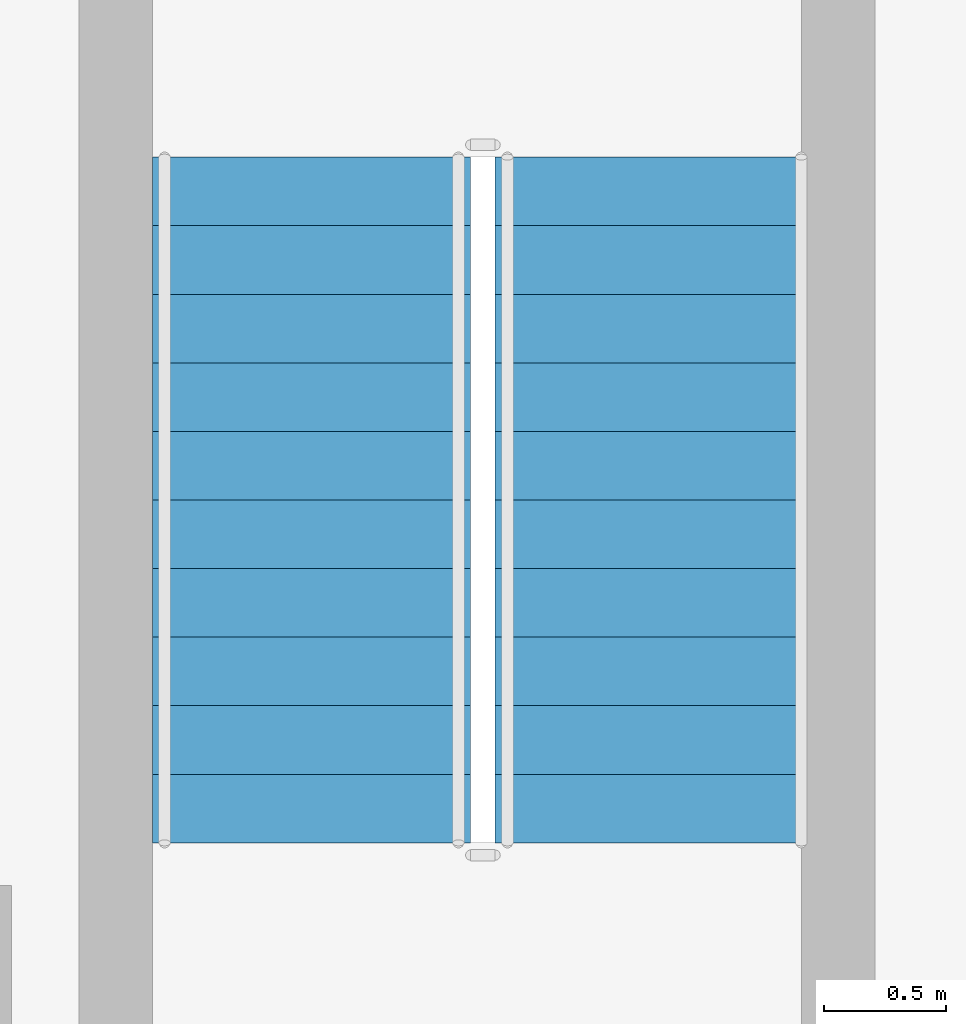
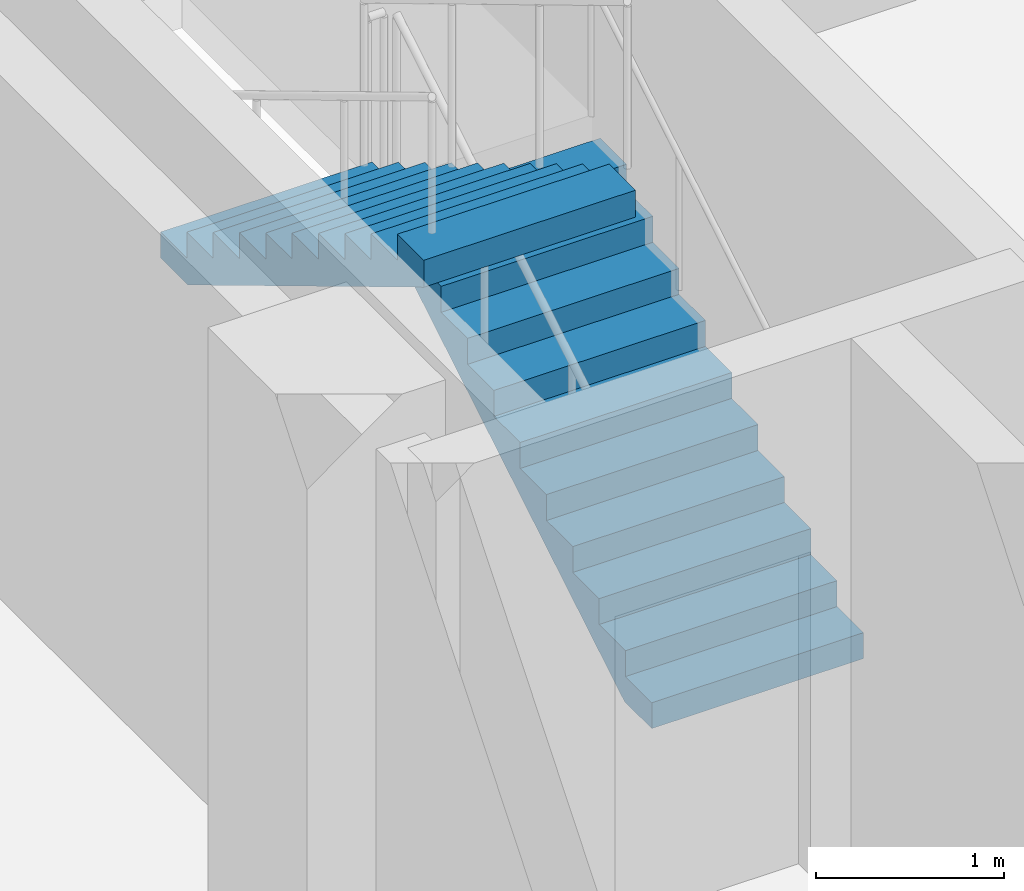
# One storey, part 16 of 23: 2 stair flights, 1 element without a shape of its own.
"""IFC4 building model written with IfcOpenShell, lengths in metres."""

from ifc_helpers import new_model, si_unit, direction, frame, origin, place, context, subcontext, project, spatial, triangles, source, transform, mapped, material, type_object, element, aggregate, save


model = new_model("IFC4")

# Units and contexts
model_context = context("Model", 3, precision=1e-05, world=origin(), true_north=direction((0.0, 1.0)))
body_context = subcontext(model_context, "Body", "Model", "MODEL_VIEW")
ifc_project = project(units=[si_unit("LENGTHUNIT", "METRE"), si_unit("AREAUNIT", "SQUARE_METRE"), si_unit("VOLUMEUNIT", "CUBIC_METRE"), si_unit("PLANEANGLEUNIT", "RADIAN"), si_unit("MASSUNIT", "GRAM", prefix="KILO")], contexts=[model_context])

# Site, building, storey
site_placement = place(None, origin())
site = spatial("IfcSite", under=ifc_project, at=site_placement, CompositionType="ELEMENT")
building_placement = place(site_placement, origin())
building = spatial("IfcBuilding", under=site, at=building_placement, Name="Ogive Portal Towers", CompositionType="ELEMENT")
storey_placement = place(building_placement, frame((0.0, 0.0, 127.800048828125)))
storey = spatial("IfcBuildingStorey", under=building, at=storey_placement, Name="L31", CompositionType="ELEMENT", Elevation=127.800048828125)

# Stair, stair flights
ifc_material = material(Name="Concrete C40/50", Category="concrete")
stair_type = type_object("IfcStairType", Name="INT-STAIR", PredefinedType="HALF_TURN_STAIR", material=ifc_material)
stair_placement = place(storey_placement, origin())
stair = element("IfcStair", 1, at=stair_placement, inside=storey, type_object=stair_type, Name="L31 Exit Stair ST-A3", PredefinedType="HALF_TURN_STAIR")
stair_flight_type = type_object("IfcStairFlightType", Name="INT-FLIGHT", PredefinedType="STRAIGHT", material=ifc_material)
shared_shape = source(origin(), body_context, "Body", "Tessellation", [
    triangles([(0.0, -0.650146484375, 0.0), (0.0, -0.376220703125, 0.0), (0.0, -0.192626953125, 0.0), (0.0, -0.081298828125, 0.0), (0.0, -0.024169921875, 0.0), (0.0, -0.003173828125, 0.0), (0.0, 0.0, 0.0), (0.0, 0.0029296875, 0.0), (0.0, 0.02392578125, 0.0), (0.0, 0.0810546875, 0.0), (0.0, 0.1923828125, 0.0), (0.0, 0.3759765625, 0.0), (0.0, 0.64990234375, 0.0), (0.0, -0.650146484375, 0.168212890625), (0.0, -0.376220703125, 0.168212890625), (0.0, -0.192626953125, 0.168212890625), (0.0, -0.081298828125, 0.168212890625), (0.0, -0.024169921875, 0.168212890625), (0.0, -0.003173828125, 0.168212890625), (0.0, 0.0, 0.168212890625), (0.0, 0.0029296875, 0.168212890625), (0.0, 0.02392578125, 0.168212890625), (0.0, 0.0810546875, 0.168212890625), (0.0, 0.1923828125, 0.168212890625), (0.0, 0.3759765625, 0.168212890625), (0.0, 0.64990234375, 0.168212890625), (0.280029296875, -0.650146484375, 0.168212890625), (0.280029296875, -0.376220703125, 0.168212890625), (0.280029296875, -0.192626953125, 0.168212890625), (0.280029296875, -0.081298828125, 0.168212890625), (0.280029296875, -0.024169921875, 0.168212890625), (0.280029296875, -0.003173828125, 0.168212890625), (0.280029296875, 0.0, 0.168212890625), (0.280029296875, 0.0029296875, 0.168212890625), (0.280029296875, 0.02392578125, 0.168212890625), (0.280029296875, 0.0810546875, 0.168212890625), (0.280029296875, 0.1923828125, 0.168212890625), (0.280029296875, 0.3759765625, 0.168212890625), (0.280029296875, 0.64990234375, 0.168212890625), (0.280029296875, -0.650146484375, 0.33642578125), (0.280029296875, -0.376220703125, 0.33642578125), (0.280029296875, -0.192626953125, 0.33642578125), (0.280029296875, -0.081298828125, 0.33642578125), (0.280029296875, -0.024169921875, 0.33642578125), (0.280029296875, -0.003173828125, 0.33642578125), (0.280029296875, 0.0, 0.33642578125), (0.280029296875, 0.0029296875, 0.33642578125), (0.280029296875, 0.02392578125, 0.33642578125), (0.280029296875, 0.0810546875, 0.33642578125), (0.280029296875, 0.1923828125, 0.33642578125), (0.280029296875, 0.3759765625, 0.33642578125), (0.280029296875, 0.64990234375, 0.33642578125), (0.56005859375, -0.650146484375, 0.33642578125), (0.56005859375, -0.376220703125, 0.33642578125), (0.56005859375, -0.192626953125, 0.33642578125), (0.56005859375, -0.081298828125, 0.33642578125), (0.56005859375, -0.024169921875, 0.33642578125), (0.56005859375, -0.003173828125, 0.33642578125), (0.56005859375, 0.0, 0.33642578125), (0.56005859375, 0.0029296875, 0.33642578125), (0.56005859375, 0.02392578125, 0.33642578125), (0.56005859375, 0.0810546875, 0.33642578125), (0.56005859375, 0.1923828125, 0.33642578125), (0.56005859375, 0.3759765625, 0.33642578125), (0.56005859375, 0.64990234375, 0.33642578125), (0.56005859375, -0.650146484375, 0.504638671875), (0.56005859375, -0.376220703125, 0.504638671875), (0.56005859375, -0.192626953125, 0.504638671875), (0.56005859375, -0.081298828125, 0.504638671875), (0.56005859375, -0.024169921875, 0.504638671875), (0.56005859375, -0.003173828125, 0.504638671875), (0.56005859375, 0.0, 0.504638671875), (0.56005859375, 0.0029296875, 0.504638671875), (0.56005859375, 0.02392578125, 0.504638671875), (0.56005859375, 0.0810546875, 0.504638671875), (0.56005859375, 0.1923828125, 0.504638671875), (0.56005859375, 0.3759765625, 0.504638671875), (0.56005859375, 0.64990234375, 0.504638671875), (0.840087890625, -0.650146484375, 0.504638671875), (0.840087890625, -0.376220703125, 0.504638671875), (0.840087890625, -0.192626953125, 0.504638671875), (0.840087890625, -0.081298828125, 0.504638671875), (0.840087890625, -0.024169921875, 0.504638671875), (0.840087890625, -0.003173828125, 0.504638671875), (0.840087890625, 0.0, 0.504638671875), (0.840087890625, 0.0029296875, 0.504638671875), (0.840087890625, 0.02392578125, 0.504638671875), (0.840087890625, 0.0810546875, 0.504638671875), (0.840087890625, 0.1923828125, 0.504638671875), (0.840087890625, 0.3759765625, 0.504638671875), (0.840087890625, 0.64990234375, 0.504638671875), (0.840087890625, -0.650146484375, 0.672607421875), (0.840087890625, -0.376220703125, 0.672607421875), (0.840087890625, -0.192626953125, 0.672607421875), (0.840087890625, -0.081298828125, 0.672607421875), (0.840087890625, -0.024169921875, 0.672607421875), (0.840087890625, -0.003173828125, 0.672607421875), (0.840087890625, 0.0, 0.672607421875), (0.840087890625, 0.0029296875, 0.672607421875), (0.840087890625, 0.02392578125, 0.672607421875), (0.840087890625, 0.0810546875, 0.672607421875), (0.840087890625, 0.1923828125, 0.672607421875), (0.840087890625, 0.3759765625, 0.672607421875), (0.840087890625, 0.64990234375, 0.672607421875), (1.1201171875, -0.650146484375, 0.672607421875), (1.1201171875, -0.376220703125, 0.672607421875), (1.1201171875, -0.192626953125, 0.672607421875), (1.1201171875, -0.081298828125, 0.672607421875), (1.1201171875, -0.024169921875, 0.672607421875), (1.1201171875, -0.003173828125, 0.672607421875), (1.1201171875, 0.0, 0.672607421875), (1.1201171875, 0.0029296875, 0.672607421875), (1.1201171875, 0.02392578125, 0.672607421875), (1.1201171875, 0.0810546875, 0.672607421875), (1.1201171875, 0.1923828125, 0.672607421875), (1.1201171875, 0.3759765625, 0.672607421875), (1.1201171875, 0.64990234375, 0.672607421875), (1.1201171875, -0.650146484375, 0.8408203125), (1.1201171875, -0.376220703125, 0.8408203125), (1.1201171875, -0.192626953125, 0.8408203125), (1.1201171875, -0.081298828125, 0.8408203125), (1.1201171875, -0.024169921875, 0.8408203125), (1.1201171875, -0.003173828125, 0.8408203125), (1.1201171875, 0.0, 0.8408203125), (1.1201171875, 0.0029296875, 0.8408203125), (1.1201171875, 0.02392578125, 0.8408203125), (1.1201171875, 0.0810546875, 0.8408203125), (1.1201171875, 0.1923828125, 0.8408203125), (1.1201171875, 0.3759765625, 0.8408203125), (1.1201171875, 0.64990234375, 0.8408203125), (1.39990234375, -0.650146484375, 0.8408203125), (1.39990234375, -0.376220703125, 0.8408203125), (1.39990234375, -0.192626953125, 0.8408203125), (1.39990234375, -0.081298828125, 0.8408203125), (1.39990234375, -0.024169921875, 0.8408203125), (1.39990234375, -0.003173828125, 0.8408203125), (1.39990234375, 0.0, 0.8408203125), (1.39990234375, 0.0029296875, 0.8408203125), (1.39990234375, 0.02392578125, 0.8408203125), (1.39990234375, 0.0810546875, 0.8408203125), (1.39990234375, 0.1923828125, 0.8408203125), (1.39990234375, 0.3759765625, 0.8408203125), (1.39990234375, 0.64990234375, 0.8408203125), (1.39990234375, -0.650146484375, 1.009033203125), (1.39990234375, -0.376220703125, 1.009033203125), (1.39990234375, -0.192626953125, 1.009033203125), (1.39990234375, -0.081298828125, 1.009033203125), (1.39990234375, -0.024169921875, 1.009033203125), (1.39990234375, -0.003173828125, 1.009033203125), (1.39990234375, 0.0, 1.009033203125), (1.39990234375, 0.0029296875, 1.009033203125), (1.39990234375, 0.02392578125, 1.009033203125), (1.39990234375, 0.0810546875, 1.009033203125), (1.39990234375, 0.1923828125, 1.009033203125), (1.39990234375, 0.3759765625, 1.009033203125), (1.39990234375, 0.64990234375, 1.009033203125), (1.679931640625, -0.650146484375, 1.009033203125), (1.679931640625, -0.376220703125, 1.009033203125), (1.679931640625, -0.192626953125, 1.009033203125), (1.679931640625, -0.081298828125, 1.009033203125), (1.679931640625, -0.024169921875, 1.009033203125), (1.679931640625, -0.003173828125, 1.009033203125), (1.679931640625, 0.0, 1.009033203125), (1.679931640625, 0.0029296875, 1.009033203125), (1.679931640625, 0.02392578125, 1.009033203125), (1.679931640625, 0.0810546875, 1.009033203125), (1.679931640625, 0.1923828125, 1.009033203125), (1.679931640625, 0.3759765625, 1.009033203125), (1.679931640625, 0.64990234375, 1.009033203125), (1.679931640625, -0.650146484375, 1.17724609375), (1.679931640625, -0.376220703125, 1.17724609375), (1.679931640625, -0.192626953125, 1.17724609375), (1.679931640625, -0.081298828125, 1.17724609375), (1.679931640625, -0.024169921875, 1.17724609375), (1.679931640625, -0.003173828125, 1.17724609375), (1.679931640625, 0.0, 1.17724609375), (1.679931640625, 0.0029296875, 1.17724609375), (1.679931640625, 0.02392578125, 1.17724609375), (1.679931640625, 0.0810546875, 1.17724609375), (1.679931640625, 0.1923828125, 1.17724609375), (1.679931640625, 0.3759765625, 1.17724609375), (1.679931640625, 0.64990234375, 1.17724609375), (1.9599609375, -0.650146484375, 1.17724609375), (1.9599609375, -0.376220703125, 1.17724609375), (1.9599609375, -0.192626953125, 1.17724609375), (1.9599609375, -0.081298828125, 1.17724609375), (1.9599609375, -0.024169921875, 1.17724609375), (1.9599609375, -0.003173828125, 1.17724609375), (1.9599609375, 0.0, 1.17724609375), (1.9599609375, 0.0029296875, 1.17724609375), (1.9599609375, 0.02392578125, 1.17724609375), (1.9599609375, 0.0810546875, 1.17724609375), (1.9599609375, 0.1923828125, 1.17724609375), (1.9599609375, 0.3759765625, 1.17724609375), (1.9599609375, 0.64990234375, 1.17724609375), (1.9599609375, -0.650146484375, 1.345458984375), (1.9599609375, -0.376220703125, 1.345458984375), (1.9599609375, -0.192626953125, 1.345458984375), (1.9599609375, -0.081298828125, 1.345458984375), (1.9599609375, -0.024169921875, 1.345458984375), (1.9599609375, -0.003173828125, 1.345458984375), (1.9599609375, 0.0, 1.345458984375), (1.9599609375, 0.0029296875, 1.345458984375), (1.9599609375, 0.02392578125, 1.345458984375), (1.9599609375, 0.0810546875, 1.345458984375), (1.9599609375, 0.1923828125, 1.345458984375), (1.9599609375, 0.3759765625, 1.345458984375), (1.9599609375, 0.64990234375, 1.345458984375), (2.239990234375, -0.650146484375, 1.345458984375), (2.239990234375, -0.376220703125, 1.345458984375), (2.239990234375, -0.192626953125, 1.345458984375), (2.239990234375, -0.081298828125, 1.345458984375), (2.239990234375, -0.024169921875, 1.345458984375), (2.239990234375, -0.003173828125, 1.345458984375), (2.239990234375, 0.0, 1.345458984375), (2.239990234375, 0.0029296875, 1.345458984375), (2.239990234375, 0.02392578125, 1.345458984375), (2.239990234375, 0.0810546875, 1.345458984375), (2.239990234375, 0.1923828125, 1.345458984375), (2.239990234375, 0.3759765625, 1.345458984375), (2.239990234375, 0.64990234375, 1.345458984375), (2.239990234375, -0.650146484375, 1.513671875), (2.239990234375, -0.376220703125, 1.513671875), (2.239990234375, -0.192626953125, 1.513671875), (2.239990234375, -0.081298828125, 1.513671875), (2.239990234375, -0.024169921875, 1.513671875), (2.239990234375, -0.003173828125, 1.513671875), (2.239990234375, 0.0, 1.513671875), (2.239990234375, 0.0029296875, 1.513671875), (2.239990234375, 0.02392578125, 1.513671875), (2.239990234375, 0.0810546875, 1.513671875), (2.239990234375, 0.1923828125, 1.513671875), (2.239990234375, 0.3759765625, 1.513671875), (2.239990234375, 0.64990234375, 1.513671875), (2.52001953125, -0.650146484375, 1.513671875), (2.52001953125, -0.376220703125, 1.513671875), (2.52001953125, -0.192626953125, 1.513671875), (2.52001953125, -0.081298828125, 1.513671875), (2.52001953125, -0.024169921875, 1.513671875), (2.52001953125, -0.003173828125, 1.513671875), (2.52001953125, 0.0, 1.513671875), (2.52001953125, 0.0029296875, 1.513671875), (2.52001953125, 0.02392578125, 1.513671875), (2.52001953125, 0.0810546875, 1.513671875), (2.52001953125, 0.1923828125, 1.513671875), (2.52001953125, 0.3759765625, 1.513671875), (2.52001953125, 0.64990234375, 1.513671875), (2.52001953125, -0.650146484375, 1.681884765625), (2.52001953125, -0.376220703125, 1.681884765625), (2.52001953125, -0.192626953125, 1.681884765625), (2.52001953125, -0.081298828125, 1.681884765625), (2.52001953125, -0.024169921875, 1.681884765625), (2.52001953125, -0.003173828125, 1.681884765625), (2.52001953125, 0.0, 1.681884765625), (2.52001953125, 0.0029296875, 1.681884765625), (2.52001953125, 0.02392578125, 1.681884765625), (2.52001953125, 0.0810546875, 1.681884765625), (2.52001953125, 0.1923828125, 1.681884765625), (2.52001953125, 0.3759765625, 1.681884765625), (2.52001953125, 0.64990234375, 1.681884765625), (2.800048828125, -0.650146484375, 1.681884765625), (2.800048828125, -0.376220703125, 1.681884765625), (2.800048828125, -0.192626953125, 1.681884765625), (2.800048828125, -0.081298828125, 1.681884765625), (2.800048828125, -0.024169921875, 1.681884765625), (2.800048828125, -0.003173828125, 1.681884765625), (2.800048828125, 0.0, 1.681884765625), (2.800048828125, 0.0029296875, 1.681884765625), (2.800048828125, 0.02392578125, 1.681884765625), (2.800048828125, 0.0810546875, 1.681884765625), (2.800048828125, 0.1923828125, 1.681884765625), (2.800048828125, 0.3759765625, 1.681884765625), (2.800048828125, 0.64990234375, 1.681884765625), (2.800048828125, -0.650146484375, 1.5068359375), (2.800048828125, -0.376220703125, 1.5068359375), (2.800048828125, -0.192626953125, 1.5068359375), (2.800048828125, -0.081298828125, 1.5068359375), (2.800048828125, -0.024169921875, 1.5068359375), (2.800048828125, -0.003173828125, 1.5068359375), (2.800048828125, 0.0, 1.5068359375), (2.800048828125, 0.0029296875, 1.5068359375), (2.800048828125, 0.02392578125, 1.5068359375), (2.800048828125, 0.0810546875, 1.5068359375), (2.800048828125, 0.1923828125, 1.5068359375), (2.800048828125, 0.3759765625, 1.5068359375), (2.800048828125, 0.64990234375, 1.5068359375), (0.291015625, -0.650146484375, 0.0), (0.291015625, -0.376220703125, 0.0), (0.291015625, -0.192626953125, 0.0), (0.291015625, -0.081298828125, 0.0), (0.291015625, -0.024169921875, 0.0), (0.291015625, -0.003173828125, 0.0), (0.291015625, 0.0, 0.0), (0.291015625, 0.0029296875, 0.0), (0.291015625, 0.02392578125, 0.0), (0.291015625, 0.0810546875, 0.0), (0.291015625, 0.1923828125, 0.0), (0.291015625, 0.3759765625, 0.0), (0.291015625, 0.64990234375, 0.0)], [[1, 14, 15], [1, 15, 2], [2, 15, 16], [2, 16, 3], [3, 16, 17], [3, 17, 4], [4, 17, 18], [4, 18, 5], [5, 18, 19], [5, 19, 6], [6, 19, 20], [6, 20, 7], [7, 20, 21], [7, 21, 8], [8, 21, 22], [8, 22, 9], [9, 22, 23], [9, 23, 10], [10, 23, 24], [10, 24, 11], [11, 24, 25], [11, 25, 12], [12, 25, 26], [12, 26, 13], [14, 27, 28], [14, 28, 15], [15, 28, 29], [15, 29, 16], [16, 29, 30], [16, 30, 17], [17, 30, 31], [17, 31, 18], [18, 31, 32], [18, 32, 19], [19, 32, 33], [19, 33, 20], [20, 33, 34], [20, 34, 21], [21, 34, 35], [21, 35, 22], [22, 35, 36], [22, 36, 23], [23, 36, 37], [23, 37, 24], [24, 37, 38], [24, 38, 25], [25, 38, 39], [25, 39, 26], [27, 40, 41], [27, 41, 28], [28, 41, 42], [28, 42, 29], [29, 42, 43], [29, 43, 30], [30, 43, 44], [30, 44, 31], [31, 44, 45], [31, 45, 32], [32, 45, 46], [32, 46, 33], [33, 46, 47], [33, 47, 34], [34, 47, 48], [34, 48, 35], [35, 48, 49], [35, 49, 36], [36, 49, 50], [36, 50, 37], [37, 50, 51], [37, 51, 38], [38, 51, 52], [38, 52, 39], [40, 53, 54], [40, 54, 41], [41, 54, 55], [41, 55, 42], [42, 55, 56], [42, 56, 43], [43, 56, 57], [43, 57, 44], [44, 57, 58], [44, 58, 45], [45, 58, 59], [45, 59, 46], [46, 59, 60], [46, 60, 47], [47, 60, 61], [47, 61, 48], [48, 61, 62], [48, 62, 49], [49, 62, 63], [49, 63, 50], [50, 63, 64], [50, 64, 51], [51, 64, 65], [51, 65, 52], [53, 66, 67], [53, 67, 54], [54, 67, 68], [54, 68, 55], [55, 68, 69], [55, 69, 56], [56, 69, 70], [56, 70, 57], [57, 70, 71], [57, 71, 58], [58, 71, 72], [58, 72, 59], [59, 72, 73], [59, 73, 60], [60, 73, 74], [60, 74, 61], [61, 74, 75], [61, 75, 62], [62, 75, 76], [62, 76, 63], [63, 76, 77], [63, 77, 64], [64, 77, 78], [64, 78, 65], [66, 79, 80], [66, 80, 67], [67, 80, 81], [67, 81, 68], [68, 81, 82], [68, 82, 69], [69, 82, 83], [69, 83, 70], [70, 83, 84], [70, 84, 71], [71, 84, 85], [71, 85, 72], [72, 85, 86], [72, 86, 73], [73, 86, 87], [73, 87, 74], [74, 87, 88], [74, 88, 75], [75, 88, 89], [75, 89, 76], [76, 89, 90], [76, 90, 77], [77, 90, 91], [77, 91, 78], [79, 92, 93], [79, 93, 80], [80, 93, 94], [80, 94, 81], [81, 94, 95], [81, 95, 82], [82, 95, 96], [82, 96, 83], [83, 96, 97], [83, 97, 84], [84, 97, 98], [84, 98, 85], [85, 98, 99], [85, 99, 86], [86, 99, 100], [86, 100, 87], [87, 100, 101], [87, 101, 88], [88, 101, 102], [88, 102, 89], [89, 102, 103], [89, 103, 90], [90, 103, 104], [90, 104, 91], [92, 105, 106], [92, 106, 93], [93, 106, 107], [93, 107, 94], [94, 107, 108], [94, 108, 95], [95, 108, 109], [95, 109, 96], [96, 109, 110], [96, 110, 97], [97, 110, 111], [97, 111, 98], [98, 111, 112], [98, 112, 99], [99, 112, 113], [99, 113, 100], [100, 113, 114], [100, 114, 101], [101, 114, 115], [101, 115, 102], [102, 115, 116], [102, 116, 103], [103, 116, 117], [103, 117, 104], [105, 118, 119], [105, 119, 106], [106, 119, 120], [106, 120, 107], [107, 120, 121], [107, 121, 108], [108, 121, 122], [108, 122, 109], [109, 122, 123], [109, 123, 110], [110, 123, 124], [110, 124, 111], [111, 124, 125], [111, 125, 112], [112, 125, 126], [112, 126, 113], [113, 126, 127], [113, 127, 114], [114, 127, 128], [114, 128, 115], [115, 128, 129], [115, 129, 116], [116, 129, 130], [116, 130, 117], [118, 131, 132], [118, 132, 119], [119, 132, 133], [119, 133, 120], [120, 133, 134], [120, 134, 121], [121, 134, 135], [121, 135, 122], [122, 135, 136], [122, 136, 123], [123, 136, 137], [123, 137, 124], [124, 137, 138], [124, 138, 125], [125, 138, 139], [125, 139, 126], [126, 139, 140], [126, 140, 127], [127, 140, 141], [127, 141, 128], [128, 141, 142], [128, 142, 129], [129, 142, 143], [129, 143, 130], [131, 144, 145], [131, 145, 132], [132, 145, 146], [132, 146, 133], [133, 146, 147], [133, 147, 134], [134, 147, 148], [134, 148, 135], [135, 148, 149], [135, 149, 136], [136, 149, 150], [136, 150, 137], [137, 150, 151], [137, 151, 138], [138, 151, 152], [138, 152, 139], [139, 152, 153], [139, 153, 140], [140, 153, 154], [140, 154, 141], [141, 154, 155], [141, 155, 142], [142, 155, 156], [142, 156, 143], [144, 157, 158], [144, 158, 145], [145, 158, 159], [145, 159, 146], [146, 159, 160], [146, 160, 147], [147, 160, 161], [147, 161, 148], [148, 161, 162], [148, 162, 149], [149, 162, 163], [149, 163, 150], [150, 163, 164], [150, 164, 151], [151, 164, 165], [151, 165, 152], [152, 165, 166], [152, 166, 153], [153, 166, 167], [153, 167, 154], [154, 167, 168], [154, 168, 155], [155, 168, 169], [155, 169, 156], [157, 170, 171], [157, 171, 158], [158, 171, 172], [158, 172, 159], [159, 172, 173], [159, 173, 160], [160, 173, 174], [160, 174, 161], [161, 174, 175], [161, 175, 162], [162, 175, 176], [162, 176, 163], [163, 176, 177], [163, 177, 164], [164, 177, 178], [164, 178, 165], [165, 178, 179], [165, 179, 166], [166, 179, 180], [166, 180, 167], [167, 180, 181], [167, 181, 168], [168, 181, 182], [168, 182, 169], [170, 183, 184], [170, 184, 171], [171, 184, 185], [171, 185, 172], [172, 185, 186], [172, 186, 173], [173, 186, 187], [173, 187, 174], [174, 187, 188], [174, 188, 175], [175, 188, 189], [175, 189, 176], [176, 189, 190], [176, 190, 177], [177, 190, 191], [177, 191, 178], [178, 191, 192], [178, 192, 179], [179, 192, 193], [179, 193, 180], [180, 193, 194], [180, 194, 181], [181, 194, 195], [181, 195, 182], [183, 196, 197], [183, 197, 184], [184, 197, 198], [184, 198, 185], [185, 198, 199], [185, 199, 186], [186, 199, 200], [186, 200, 187], [187, 200, 201], [187, 201, 188], [188, 201, 202], [188, 202, 189], [189, 202, 203], [189, 203, 190], [190, 203, 204], [190, 204, 191], [191, 204, 205], [191, 205, 192], [192, 205, 206], [192, 206, 193], [193, 206, 207], [193, 207, 194], [194, 207, 208], [194, 208, 195], [196, 209, 210], [196, 210, 197], [197, 210, 211], [197, 211, 198], [198, 211, 212], [198, 212, 199], [199, 212, 213], [199, 213, 200], [200, 213, 214], [200, 214, 201], [201, 214, 215], [201, 215, 202], [202, 215, 216], [202, 216, 203], [203, 216, 217], [203, 217, 204], [204, 217, 218], [204, 218, 205], [205, 218, 219], [205, 219, 206], [206, 219, 220], [206, 220, 207], [207, 220, 221], [207, 221, 208], [209, 222, 223], [209, 223, 210], [210, 223, 224], [210, 224, 211], [211, 224, 225], [211, 225, 212], [212, 225, 226], [212, 226, 213], [213, 226, 227], [213, 227, 214], [214, 227, 228], [214, 228, 215], [215, 228, 229], [215, 229, 216], [216, 229, 230], [216, 230, 217], [217, 230, 231], [217, 231, 218], [218, 231, 232], [218, 232, 219], [219, 232, 233], [219, 233, 220], [220, 233, 234], [220, 234, 221], [222, 235, 236], [222, 236, 223], [223, 236, 237], [223, 237, 224], [224, 237, 238], [224, 238, 225], [225, 238, 239], [225, 239, 226], [226, 239, 240], [226, 240, 227], [227, 240, 241], [227, 241, 228], [228, 241, 242], [228, 242, 229], [229, 242, 243], [229, 243, 230], [230, 243, 244], [230, 244, 231], [231, 244, 245], [231, 245, 232], [232, 245, 246], [232, 246, 233], [233, 246, 247], [233, 247, 234], [235, 248, 249], [235, 249, 236], [236, 249, 250], [236, 250, 237], [237, 250, 251], [237, 251, 238], [238, 251, 252], [238, 252, 239], [239, 252, 253], [239, 253, 240], [240, 253, 254], [240, 254, 241], [241, 254, 255], [241, 255, 242], [242, 255, 256], [242, 256, 243], [243, 256, 257], [243, 257, 244], [244, 257, 258], [244, 258, 245], [245, 258, 259], [245, 259, 246], [246, 259, 260], [246, 260, 247], [248, 261, 262], [248, 262, 249], [249, 262, 263], [249, 263, 250], [250, 263, 264], [250, 264, 251], [251, 264, 265], [251, 265, 252], [252, 265, 266], [252, 266, 253], [253, 266, 267], [253, 267, 254], [254, 267, 268], [254, 268, 255], [255, 268, 269], [255, 269, 256], [256, 269, 270], [256, 270, 257], [257, 270, 271], [257, 271, 258], [258, 271, 272], [258, 272, 259], [259, 272, 273], [259, 273, 260], [261, 274, 275], [261, 275, 262], [262, 275, 276], [262, 276, 263], [263, 276, 277], [263, 277, 264], [264, 277, 278], [264, 278, 265], [265, 278, 279], [265, 279, 266], [266, 279, 280], [266, 280, 267], [267, 280, 281], [267, 281, 268], [268, 281, 282], [268, 282, 269], [269, 282, 283], [269, 283, 270], [270, 283, 284], [270, 284, 271], [271, 284, 285], [271, 285, 272], [272, 285, 286], [272, 286, 273], [274, 287, 288], [274, 288, 275], [275, 288, 289], [275, 289, 276], [276, 289, 290], [276, 290, 277], [277, 290, 291], [277, 291, 278], [278, 291, 292], [278, 292, 279], [279, 292, 293], [279, 293, 280], [280, 293, 294], [280, 294, 281], [281, 294, 295], [281, 295, 282], [282, 295, 296], [282, 296, 283], [283, 296, 297], [283, 297, 284], [284, 297, 298], [284, 298, 285], [285, 298, 299], [285, 299, 286], [287, 1, 2], [287, 2, 288], [288, 2, 3], [288, 3, 289], [289, 3, 4], [289, 4, 290], [290, 4, 5], [290, 5, 291], [291, 5, 6], [291, 6, 292], [292, 6, 7], [292, 7, 293], [293, 7, 8], [293, 8, 294], [294, 8, 9], [294, 9, 295], [295, 9, 10], [295, 10, 296], [296, 10, 11], [296, 11, 297], [297, 11, 12], [297, 12, 298], [298, 12, 13], [298, 13, 299], [1, 287, 274], [13, 286, 299], [274, 261, 248], [286, 260, 273], [274, 248, 235], [286, 247, 260], [274, 235, 222], [286, 234, 247], [274, 222, 209], [286, 221, 234], [209, 196, 183], [221, 195, 208], [274, 209, 183], [286, 195, 221], [183, 170, 157], [195, 169, 182], [274, 183, 157], [286, 169, 195], [157, 144, 131], [169, 143, 156], [274, 157, 131], [286, 143, 169], [131, 118, 105], [143, 117, 130], [274, 131, 105], [286, 117, 143], [1, 274, 105], [13, 117, 286], [105, 92, 79], [117, 91, 104], [79, 66, 53], [91, 65, 78], [105, 79, 53], [117, 65, 91], [53, 40, 27], [65, 39, 52], [105, 53, 27], [117, 39, 65], [1, 105, 27], [13, 39, 117], [27, 14, 1], [39, 13, 26]], closed=True),
])
stair_flight_1_placement = place(storey_placement, frame((43.550048828125, 67.199951171875, 0.0), z_axis=(0.0, 0.0, 1.0), x_axis=(0.0, 1.0, 0.0)))
stair_flight_1 = element("IfcStairFlight", 2, at=stair_flight_1_placement, type_object=stair_flight_type, Name="ST-A3 flight 1", NumberOfRisers=11, NumberOfTreads=10, PredefinedType="STRAIGHT", RiserHeight=0.168181818, TreadLength=0.28, context=body_context, shape_type="MappedRepresentation", body=[
    mapped(shared_shape, transform((0.0, 0.0, 0.0), scale=1.0)),
])
stair_flight_2_placement = place(storey_placement, frame((42.14990234375, 70.0, 1.849853515625), z_axis=(0.0, 0.0, 1.0), x_axis=(0.0, -1.0, 0.0)))
stair_flight_2 = element("IfcStairFlight", 3, at=stair_flight_2_placement, type_object=stair_flight_type, Name="ST-A3 flight 2", NumberOfRisers=11, NumberOfTreads=10, PredefinedType="STRAIGHT", RiserHeight=0.168181818, TreadLength=0.28, context=body_context, shape_type="MappedRepresentation", body=[
    mapped(shared_shape, transform((0.0, 0.0, 0.0), scale=1.0)),
])
aggregate(stair, [stair_flight_1, stair_flight_2])

save(model, "model.ifc")
